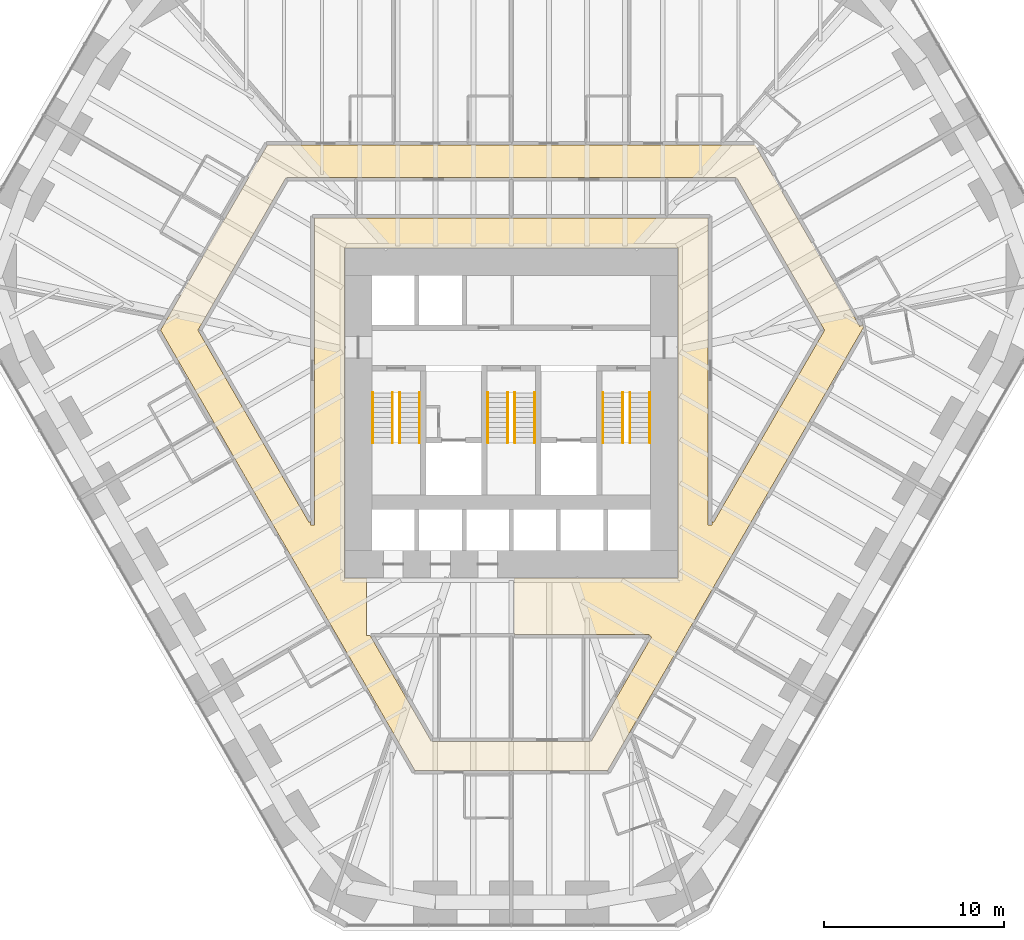
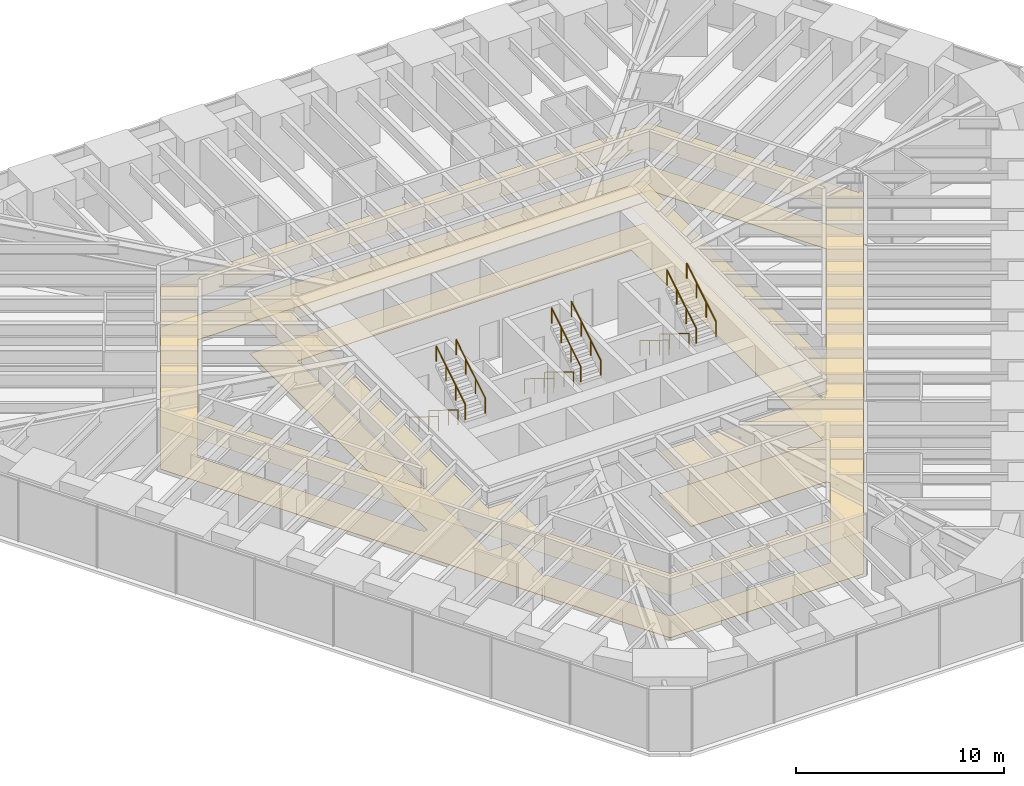
# One storey, part 17 of 17: 12 railings, 2 coverings.
"""IFC4 building model written with IfcOpenShell, lengths in metres."""

import ifcopenshell
import ifcopenshell.guid

model = None  # the IFC model being written
_history = None  # IfcOwnerHistory: only IFC2X3 demands one
_inside = {}  # id of a spatial element -> (the spatial element, [elements in it])
_under = {}  # id of a project, library or spatial element -> (it, [spatial elements below it])
_declared = {}  # id of a project -> (the project, [libraries it declares])
_typed = {}  # id of a type object -> (the type object, [elements of that type])
_made_of = {}  # id of a material, layer set ... -> (it, [elements and type objects made of it])


def new_model(schema):
    """Start an empty IFC model of exactly this schema.

    Asked for "IFC4X3", IfcOpenShell would pick the latest addendum, in which some entities
    have other attributes; the version numbers below select the first issue.
    IFC2X3 requires an IfcOwnerHistory on every rooted entity: one is made here for all.
    """
    global model, _history
    if schema == "IFC4X3":
        model = ifcopenshell.file(schema_version=(4, 3, 0, 0))
    else:
        model = ifcopenshell.file(schema=schema)
    _inside.clear()
    _under.clear()
    _declared.clear()
    _typed.clear()
    _made_of.clear()
    _history = None
    if model.schema == "IFC2X3":
        org = make("IfcOrganization", Name="unknown")
        user = make(
            "IfcPersonAndOrganization",
            ThePerson=make("IfcPerson", FamilyName="unknown"),
            TheOrganization=org,
        )
        app = make(
            "IfcApplication",
            ApplicationDeveloper=org,
            Version="unknown",
            ApplicationFullName="unknown",
            ApplicationIdentifier="unknown",
        )
        _history = make(
            "IfcOwnerHistory",
            OwningUser=user,
            OwningApplication=app,
            ChangeAction="ADDED",
            CreationDate=0,
        )
    return model


def make(cls, **values):
    """One entity of the class cls with the attributes given. An attribute that is None is left unset."""
    return model.create_entity(
        cls, **{name: value for name, value in values.items() if value is not None}
    )


def rooted(cls, **values):
    """An entity with a GlobalId (a new one), such as an element, a storey or a relation."""
    return make(cls, GlobalId=ifcopenshell.guid.new(), OwnerHistory=_history, **values)


def si_unit(unit_type, name, prefix=None):
    """IfcSIUnit, for example si_unit("LENGTHUNIT", "METRE", prefix="MILLI")."""
    return make("IfcSIUnit", UnitType=unit_type, Prefix=prefix, Name=name)


def assignment(units):
    """IfcUnitAssignment: the units of a project."""
    return None if units is None else make("IfcUnitAssignment", Units=units)


def point(xyz):
    """IfcCartesianPoint."""
    return None if xyz is None else make("IfcCartesianPoint", Coordinates=xyz)


def direction(xyz):
    """IfcDirection."""
    return None if xyz is None else make("IfcDirection", DirectionRatios=xyz)


def frame(location, z_axis=None, x_axis=None):
    """IfcAxis2Placement3D, a coordinate frame: its origin and axes. An axis left out is left unset."""
    return make(
        "IfcAxis2Placement3D",
        Location=point(location),
        Axis=direction(z_axis),
        RefDirection=direction(x_axis),
    )


def frame_2d(location, x_axis=None):
    """IfcAxis2Placement2D, a coordinate frame in the plane: its origin and x axis."""
    return make(
        "IfcAxis2Placement2D", Location=point(location), RefDirection=direction(x_axis)
    )


def origin():
    """The frame at (0, 0, 0) with its axes left unset."""
    return frame((0.0, 0.0, 0.0))


def origin_2d():
    """The frame at (0, 0) in the plane with its x axis left unset."""
    return frame_2d((0.0, 0.0))


def place(relative_to, where):
    """IfcLocalPlacement: puts the frame where relative to a parent placement (None: the world)."""
    return make(
        "IfcLocalPlacement", PlacementRelTo=relative_to, RelativePlacement=where
    )


def context(
    kind, dimensions, precision=None, world=None, true_north=None, identifier=None
):
    """IfcGeometricRepresentationContext, for example the 3D "Model" context."""
    return make(
        "IfcGeometricRepresentationContext",
        ContextIdentifier=identifier,
        ContextType=kind,
        CoordinateSpaceDimension=dimensions,
        Precision=precision,
        WorldCoordinateSystem=world,
        TrueNorth=true_north,
    )


def subcontext(parent, identifier, kind, view, scale=None):
    """IfcGeometricRepresentationSubContext, for example "Body" below "Model"."""
    return make(
        "IfcGeometricRepresentationSubContext",
        ContextIdentifier=identifier,
        ContextType=kind,
        ParentContext=parent,
        TargetScale=scale,
        TargetView=view,
    )


def project(units=None, contexts=None):
    """IfcProject with its units and contexts."""
    return rooted(
        "IfcProject",
        Name="project",
        RepresentationContexts=contexts,
        UnitsInContext=assignment(units),
    )


def spatial(cls, under=None, at=None, **own):
    """A site, building, storey or space (cls), placed at a placement, below another one or the project."""
    s = rooted(cls, ObjectPlacement=at, **own)
    if under is not None:
        _under.setdefault(under.id(), (under, []))[1].append(s)
    return s


def polyline(points):
    """IfcPolyline through the points."""
    return make("IfcPolyline", Points=[point(p) for p in points])


def profile(cls, at=None, kind="AREA", **sizes):
    """A parametric profile (cls). Its sizes go by their IFC names, for example OverallWidth=200.0."""
    return make(cls, ProfileType=kind, Position=at, **sizes)


def circle(**sizes):
    """IfcCircleProfileDef."""
    return profile("IfcCircleProfileDef", **sizes)


def outline(outer, holes=None, kind="AREA"):
    """IfcArbitraryClosedProfileDef: a profile drawn as a closed curve; with holes, ...WithVoids."""
    if holes is None:
        return make("IfcArbitraryClosedProfileDef", ProfileType=kind, OuterCurve=outer)
    return make(
        "IfcArbitraryProfileDefWithVoids",
        ProfileType=kind,
        OuterCurve=outer,
        InnerCurves=holes,
    )


def extrude(swept, where, along, depth):
    """IfcExtrudedAreaSolid: the profile swept, set in the frame where, extruded along a direction by depth."""
    return make(
        "IfcExtrudedAreaSolid",
        SweptArea=swept,
        Position=where,
        ExtrudedDirection=direction(along),
        Depth=depth,
    )


def shape(context_of_items, identifier, shape_type, items):
    """IfcShapeRepresentation: the items that make up one representation, for example the "Body"."""
    return make(
        "IfcShapeRepresentation",
        ContextOfItems=context_of_items,
        RepresentationIdentifier=identifier,
        RepresentationType=shape_type,
        Items=items,
    )


def material(Name=None, Category=None):
    """IfcMaterial."""
    return make("IfcMaterial", Name=Name, Category=Category)


def layer(
    of_material, thickness, ventilated=None, Name=None, Category=None, Priority=None
):
    """IfcMaterialLayer: one layer of a wall or slab, of a material (None: an air gap)."""
    return make(
        "IfcMaterialLayer",
        Material=of_material,
        LayerThickness=thickness,
        IsVentilated=ventilated,
        Name=Name,
        Category=Category,
        Priority=Priority,
    )


def layer_set(layers, Name=None):
    """IfcMaterialLayerSet."""
    return make("IfcMaterialLayerSet", MaterialLayers=layers, LayerSetName=Name)


def made_of(thing, what):
    """Note that an element or type object is made of a material, layer set ...; save() writes the relation."""
    if what is not None:
        _made_of.setdefault(what.id(), (what, []))[1].append(thing)
    return thing


def type_object(cls, material=None, **own):
    """A type object (cls), such as IfcWallType, which elements share."""
    return made_of(rooted(cls, **own), material)


def element(
    cls,
    number,
    at=None,
    inside=None,
    cuts=None,
    type_object=None,
    material=None,
    context=None,
    identifier="Body",
    shape_type=None,
    held_by="IfcProductDefinitionShape",
    body=None,
    shapes=None,
    **own,
):
    """One element of the class cls, such as IfcWall. Its Tag is "e" and its number.

    at: its placement. inside: the storey or other place that contains it. cuts: it is an
    opening in that element (IfcRelVoidsElement). A single representation is given by context,
    identifier, shape_type and body (its items); several are given by shapes. held_by: the class
    of the entity that holds the representations. save() writes the other relations.
    """
    e = rooted(cls, Tag="e%d" % number, ObjectPlacement=at, **own)
    if body is not None:
        shapes = [shape(context, identifier, shape_type, body)]
    if shapes is not None:
        e.Representation = make(held_by, Representations=shapes)
    if inside is not None:
        _inside.setdefault(inside.id(), (inside, []))[1].append(e)
    if cuts is not None:
        rooted(
            "IfcRelVoidsElement", RelatingBuildingElement=cuts, RelatedOpeningElement=e
        )
    if type_object is not None:
        _typed.setdefault(type_object.id(), (type_object, []))[1].append(e)
    return made_of(e, material)


def aggregate(whole, parts):
    """IfcRelAggregates: a whole, such as a stair, and the parts it consists of."""
    return rooted("IfcRelAggregates", RelatingObject=whole, RelatedObjects=parts)


def save(model, path):
    """Write the relations noted so far, then the file.

    IfcRelAggregates (storeys below a building ...), IfcRelContainedInSpatialStructure (elements
    in a storey), IfcRelDefinesByType, IfcRelAssociatesMaterial and IfcRelDeclares: one each for
    every whole, place, type object, material and project.
    """
    for whole, parts in _under.values():
        aggregate(whole, parts)
    for where, things in _inside.values():
        rooted(
            "IfcRelContainedInSpatialStructure",
            RelatedElements=things,
            RelatingStructure=where,
        )
    for kind, things in _typed.values():
        rooted("IfcRelDefinesByType", RelatedObjects=things, RelatingType=kind)
    for what, things in _made_of.values():
        rooted("IfcRelAssociatesMaterial", RelatedObjects=things, RelatingMaterial=what)
    for by, libraries in _declared.values():
        rooted("IfcRelDeclares", RelatingContext=by, RelatedDefinitions=libraries)
    model.write(path)


model = new_model("IFC4")

# Units and contexts
model_context = context("Model", 3, precision=1e-05, world=origin(), true_north=direction((0.0, 1.0)))
body_context = subcontext(model_context, "Body", "Model", "MODEL_VIEW")
ifc_project = project(units=[si_unit("LENGTHUNIT", "METRE"), si_unit("AREAUNIT", "SQUARE_METRE"), si_unit("VOLUMEUNIT", "CUBIC_METRE"), si_unit("PLANEANGLEUNIT", "RADIAN"), si_unit("MASSUNIT", "GRAM", prefix="KILO")], contexts=[model_context])

# Site, building, storey
site_placement = place(None, origin())
site = spatial("IfcSite", under=ifc_project, at=site_placement, CompositionType="ELEMENT")
building_placement = place(site_placement, origin())
building = spatial("IfcBuilding", under=site, at=building_placement, Name="Sandreach Pilgrim Tower", CompositionType="ELEMENT")
storey_placement = place(building_placement, frame((0.0, 0.0, 49.60009765625)))
storey = spatial("IfcBuildingStorey", under=building, at=storey_placement, Name="L11", CompositionType="ELEMENT", Elevation=49.60009765625)

# Covering
ifc_material_1 = material(Name="Gypsum board suspended ceiling on a steel grid", Category="steel")
ifc_layer_1 = layer(ifc_material_1, 0.012939453125)
ifc_layer_set_1 = layer_set([ifc_layer_1], Name="Gypsum board suspended ceiling")
covering_type_1 = type_object("IfcCoveringType", Name="Gypsum board suspended ceiling", PredefinedType="CEILING", material=ifc_layer_set_1)
covering_1_placement = place(storey_placement, frame((0.0, 0.0, 2.5)))
element("IfcCovering", 1, at=covering_1_placement, inside=storey, type_object=covering_type_1, Name="Ceiling 11C Corridor 11", PredefinedType="CEILING", context=body_context, shape_type="SweptSolid", body=[
    extrude(outline(polyline([(-19.49462890625, 3.06005859375), (-13.55224609375, 13.35009765625), (13.55224609375, 13.35009765625), (19.370849609375, 3.27392578125), (19.543212890625, 3.37353515625), (19.576171875, 3.20166015625), (5.3623046875, -21.409912109375), (-5.3623046875, -21.409912109375), (-19.49462890625, 3.06005859375)]), holes=[polyline([(-17.41552734375, 3.06005859375), (-11.24658203125, -7.61962890625), (-11.14990234375, -7.563720703125), (-11.14990234375, -7.760009765625), (-10.949951171875, -7.760009765625), (-10.949951171875, 9.300048828125), (10.949951171875, 9.300048828125), (10.949951171875, -7.760009765625), (11.14990234375, -7.760009765625), (11.14990234375, -7.563720703125), (11.24658203125, -7.61962890625), (17.41552734375, 3.06005859375), (12.517822265625, 11.550048828125), (-12.517822265625, 11.550048828125), (-17.41552734375, 3.06005859375)]), polyline([(-8.050048828125, -10.719970703125), (-8.050048828125, -13.89990234375), (-7.8544921875, -13.89990234375), (-4.437744140625, -19.81005859375), (4.437744140625, -19.81005859375), (7.796630859375, -14.0), (7.635009765625, -13.85009765625), (0.179931640625, -13.85009765625), (0.175048828125, -10.719970703125), (9.27001953125, -10.719970703125), (9.27001953125, 7.6201171875), (-9.27001953125, 7.6201171875), (-9.27001953125, -10.719970703125), (-8.050048828125, -10.719970703125)])]), origin(), (0.0, 0.0, 1.0), 0.012939453125),
])

# Railings
ifc_material_2 = material(Name="Stainless steel tube", Category="steel")
railing_type = type_object("IfcRailingType", Name="Stair handrail", PredefinedType="HANDRAIL", material=ifc_material_2)
for number, where, name in (
    (2, (-6.60009765625, -0.39990234375, 0.172607421875), "Handrail ST1 L11 flight 1"),
    (3, (-7.699951171875, -0.39990234375, 0.172607421875), "Handrail ST1 L11 flight 1"),
):
    element("IfcRailing", number, at=place(storey_placement, frame(where)), inside=storey, type_object=railing_type, Name=name, PredefinedType="HANDRAIL", context=body_context, shape_type="SweptSolid", body=[
        extrude(circle(Radius=0.02392578125, at=origin_2d()), frame((0.0, 0.0, 0.8759765625), z_axis=(0.0, -0.851089632645, 0.525020415988), x_axis=(1.0, 0.0, 0.0)), (0.0, 0.0, 1.0), 3.2900390625),
        extrude(circle(Radius=0.02099609375, at=origin_2d()), origin(), (0.0, 0.0, 1.0), 0.851806640625),
        extrude(circle(Radius=0.02099609375, at=origin_2d()), frame((0.0, -0.933349609375, 0.57568359375)), (0.0, 0.0, 1.0), 0.851806640625),
        extrude(circle(Radius=0.02099609375, at=origin_2d()), frame((0.0, -1.86669921875, 1.151611328125)), (0.0, 0.0, 1.0), 0.851806640625),
        extrude(circle(Radius=0.02099609375, at=origin_2d()), frame((0.0, -2.800048828125, 1.727294921875)), (0.0, 0.0, 1.0), 0.851806640625),
    ])
for number, where, name in (
    (4, (-6.199951171875, -3.199951171875, 2.072509765625), "Handrail ST1 L11 flight 2"),
    (5, (-5.10009765625, -3.199951171875, 2.072509765625), "Handrail ST1 L11 flight 2"),
):
    element("IfcRailing", number, at=place(storey_placement, frame(where)), inside=storey, type_object=railing_type, Name=name, PredefinedType="HANDRAIL", context=body_context, shape_type="SweptSolid", body=[
        extrude(circle(Radius=0.02392578125, at=origin_2d()), frame((0.0, 0.0, 0.8759765625), z_axis=(0.0, 0.851089632645, 0.525020415988), x_axis=(-1.0, 0.0, 0.0)), (0.0, 0.0, 1.0), 3.2900390625),
        extrude(circle(Radius=0.02099609375, at=origin_2d()), origin(), (0.0, 0.0, 1.0), 0.851806640625),
        extrude(circle(Radius=0.02099609375, at=origin_2d()), frame((0.0, 0.933349609375, 0.57568359375)), (0.0, 0.0, 1.0), 0.851806640625),
        extrude(circle(Radius=0.02099609375, at=origin_2d()), frame((0.0, 1.86669921875, 1.151611328125)), (0.0, 0.0, 1.0), 0.851806640625),
        extrude(circle(Radius=0.02099609375, at=origin_2d()), frame((0.0, 2.800048828125, 1.727294921875)), (0.0, 0.0, 1.0), 0.851806640625),
    ])
for number, where, name in (
    (6, (-0.199951171875, -0.39990234375, 0.172607421875), "Handrail ST3 L11 flight 1"),
    (7, (-1.300048828125, -0.39990234375, 0.172607421875), "Handrail ST3 L11 flight 1"),
):
    element("IfcRailing", number, at=place(storey_placement, frame(where)), inside=storey, type_object=railing_type, Name=name, PredefinedType="HANDRAIL", context=body_context, shape_type="SweptSolid", body=[
        extrude(circle(Radius=0.02392578125, at=origin_2d()), frame((0.0, 0.0, 0.8759765625), z_axis=(0.0, -0.851089632645, 0.525020415988), x_axis=(1.0, 0.0, 0.0)), (0.0, 0.0, 1.0), 3.2900390625),
        extrude(circle(Radius=0.02099609375, at=origin_2d()), origin(), (0.0, 0.0, 1.0), 0.851806640625),
        extrude(circle(Radius=0.02099609375, at=origin_2d()), frame((0.0, -0.933349609375, 0.57568359375)), (0.0, 0.0, 1.0), 0.851806640625),
        extrude(circle(Radius=0.02099609375, at=origin_2d()), frame((0.0, -1.86669921875, 1.151611328125)), (0.0, 0.0, 1.0), 0.851806640625),
        extrude(circle(Radius=0.02099609375, at=origin_2d()), frame((0.0, -2.800048828125, 1.727294921875)), (0.0, 0.0, 1.0), 0.851806640625),
    ])
for number, where, name in (
    (8, (0.199951171875, -3.199951171875, 2.072509765625), "Handrail ST3 L11 flight 2"),
    (9, (1.300048828125, -3.199951171875, 2.072509765625), "Handrail ST3 L11 flight 2"),
):
    element("IfcRailing", number, at=place(storey_placement, frame(where)), inside=storey, type_object=railing_type, Name=name, PredefinedType="HANDRAIL", context=body_context, shape_type="SweptSolid", body=[
        extrude(circle(Radius=0.02392578125, at=origin_2d()), frame((0.0, 0.0, 0.8759765625), z_axis=(0.0, 0.851089632645, 0.525020415988), x_axis=(-1.0, 0.0, 0.0)), (0.0, 0.0, 1.0), 3.2900390625),
        extrude(circle(Radius=0.02099609375, at=origin_2d()), origin(), (0.0, 0.0, 1.0), 0.851806640625),
        extrude(circle(Radius=0.02099609375, at=origin_2d()), frame((0.0, 0.933349609375, 0.57568359375)), (0.0, 0.0, 1.0), 0.851806640625),
        extrude(circle(Radius=0.02099609375, at=origin_2d()), frame((0.0, 1.86669921875, 1.151611328125)), (0.0, 0.0, 1.0), 0.851806640625),
        extrude(circle(Radius=0.02099609375, at=origin_2d()), frame((0.0, 2.800048828125, 1.727294921875)), (0.0, 0.0, 1.0), 0.851806640625),
    ])
for number, where, name in (
    (10, (6.199951171875, -0.39990234375, 0.172607421875), "Handrail ST2 L11 flight 1"),
    (11, (5.10009765625, -0.39990234375, 0.172607421875), "Handrail ST2 L11 flight 1"),
):
    element("IfcRailing", number, at=place(storey_placement, frame(where)), inside=storey, type_object=railing_type, Name=name, PredefinedType="HANDRAIL", context=body_context, shape_type="SweptSolid", body=[
        extrude(circle(Radius=0.02392578125, at=origin_2d()), frame((0.0, 0.0, 0.8759765625), z_axis=(0.0, -0.851089632645, 0.525020415988), x_axis=(1.0, 0.0, 0.0)), (0.0, 0.0, 1.0), 3.2900390625),
        extrude(circle(Radius=0.02099609375, at=origin_2d()), origin(), (0.0, 0.0, 1.0), 0.851806640625),
        extrude(circle(Radius=0.02099609375, at=origin_2d()), frame((0.0, -0.933349609375, 0.57568359375)), (0.0, 0.0, 1.0), 0.851806640625),
        extrude(circle(Radius=0.02099609375, at=origin_2d()), frame((0.0, -1.86669921875, 1.151611328125)), (0.0, 0.0, 1.0), 0.851806640625),
        extrude(circle(Radius=0.02099609375, at=origin_2d()), frame((0.0, -2.800048828125, 1.727294921875)), (0.0, 0.0, 1.0), 0.851806640625),
    ])
for number, where, name in (
    (12, (6.60009765625, -3.199951171875, 2.072509765625), "Handrail ST2 L11 flight 2"),
    (13, (7.699951171875, -3.199951171875, 2.072509765625), "Handrail ST2 L11 flight 2"),
):
    element("IfcRailing", number, at=place(storey_placement, frame(where)), inside=storey, type_object=railing_type, Name=name, PredefinedType="HANDRAIL", context=body_context, shape_type="SweptSolid", body=[
        extrude(circle(Radius=0.02392578125, at=origin_2d()), frame((0.0, 0.0, 0.8759765625), z_axis=(0.0, 0.851089632645, 0.525020415988), x_axis=(-1.0, 0.0, 0.0)), (0.0, 0.0, 1.0), 3.2900390625),
        extrude(circle(Radius=0.02099609375, at=origin_2d()), origin(), (0.0, 0.0, 1.0), 0.851806640625),
        extrude(circle(Radius=0.02099609375, at=origin_2d()), frame((0.0, 0.933349609375, 0.57568359375)), (0.0, 0.0, 1.0), 0.851806640625),
        extrude(circle(Radius=0.02099609375, at=origin_2d()), frame((0.0, 1.86669921875, 1.151611328125)), (0.0, 0.0, 1.0), 0.851806640625),
        extrude(circle(Radius=0.02099609375, at=origin_2d()), frame((0.0, 2.800048828125, 1.727294921875)), (0.0, 0.0, 1.0), 0.851806640625),
    ])

# Covering
ifc_material_3 = material(Name="Cement terrazzo, ground and polished", Category="terrazzo")
ifc_layer_2 = layer(ifc_material_3, 0.02490234375)
ifc_layer_set_2 = layer_set([ifc_layer_2], Name="Terrazzo")
covering_type_2 = type_object("IfcCoveringType", Name="Terrazzo", PredefinedType="FLOORING", material=ifc_layer_set_2)
covering_2_placement = place(storey_placement, origin())
element("IfcCovering", 14, at=covering_2_placement, inside=storey, type_object=covering_type_2, Name="Floor finish 11C Corridor 11", PredefinedType="FLOORING", context=body_context, shape_type="SweptSolid", body=[
    extrude(outline(polyline([(-19.49462890625, 3.06005859375), (-13.55224609375, 13.35009765625), (13.55224609375, 13.35009765625), (19.370849609375, 3.27392578125), (19.543212890625, 3.37353515625), (19.576171875, 3.20166015625), (5.3623046875, -21.409912109375), (-5.3623046875, -21.409912109375), (-19.49462890625, 3.06005859375)]), holes=[polyline([(-17.41552734375, 3.06005859375), (-11.24658203125, -7.61962890625), (-11.14990234375, -7.563720703125), (-11.14990234375, -7.760009765625), (-10.949951171875, -7.760009765625), (-10.949951171875, 9.300048828125), (10.949951171875, 9.300048828125), (10.949951171875, -7.760009765625), (11.14990234375, -7.760009765625), (11.14990234375, -7.563720703125), (11.24658203125, -7.61962890625), (17.41552734375, 3.06005859375), (12.517822265625, 11.550048828125), (-12.517822265625, 11.550048828125), (-17.41552734375, 3.06005859375)]), polyline([(-8.050048828125, -10.719970703125), (-8.050048828125, -13.89990234375), (-7.8544921875, -13.89990234375), (-4.437744140625, -19.81005859375), (4.437744140625, -19.81005859375), (7.796630859375, -14.0), (7.635009765625, -13.85009765625), (0.179931640625, -13.85009765625), (0.175048828125, -10.719970703125), (9.27001953125, -10.719970703125), (9.27001953125, 7.6201171875), (-9.27001953125, 7.6201171875), (-9.27001953125, -10.719970703125), (-8.050048828125, -10.719970703125)])]), origin(), (0.0, 0.0, 1.0), 0.02490234375),
])

save(model, "model.ifc")
